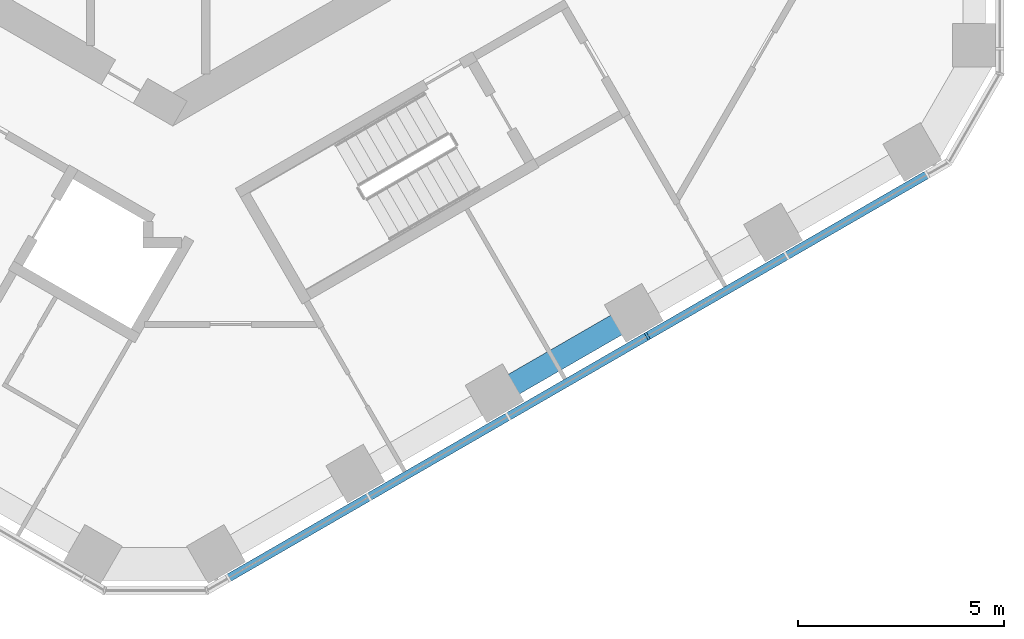
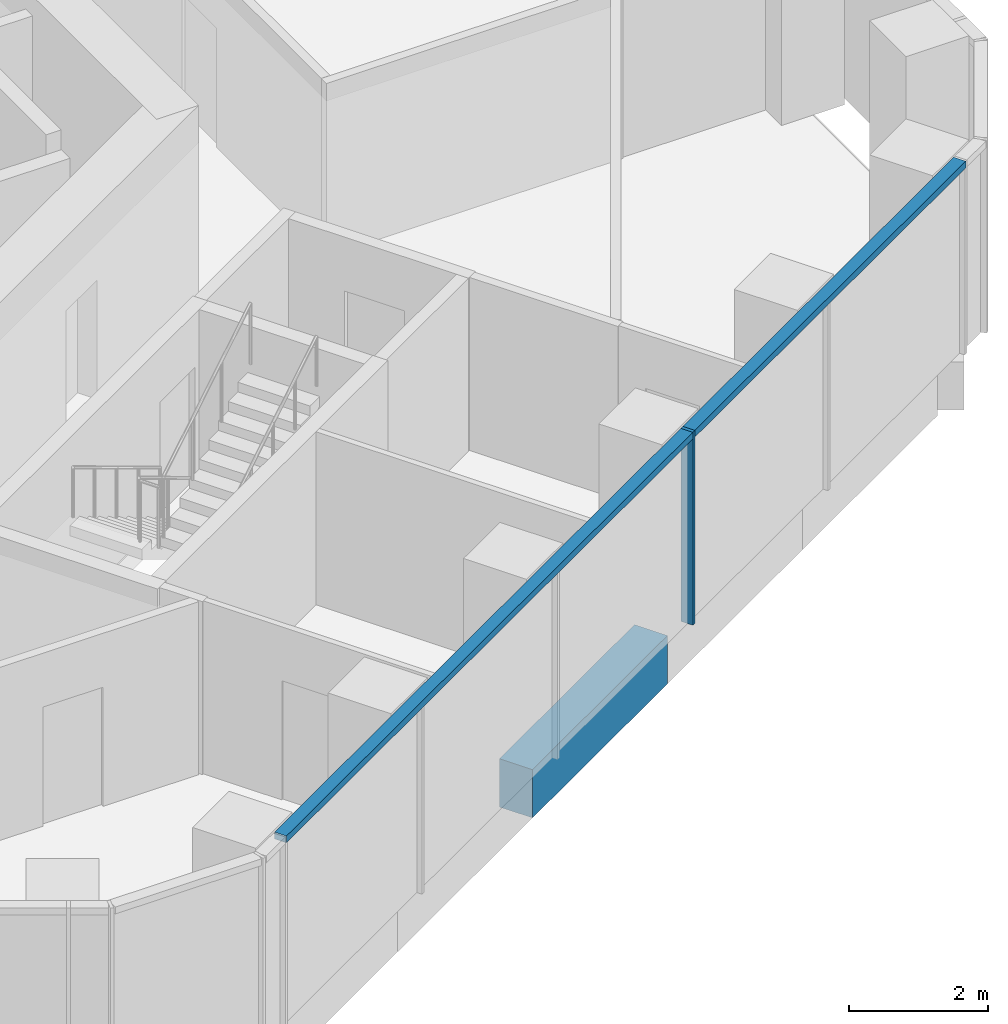
# One storey, part 3 of 19: 2 members, 1 beam, 1 element without a shape of its own.
"""IFC4 building model written with IfcOpenShell, lengths in metres."""

from ifc_helpers import new_model, si_unit, direction, frame, origin, origin_2d, place, context, subcontext, project, spatial, rectangle, extrude, material, layer, layer_set, material_profile, profile_set, type_object, element, aggregate, save


model = new_model("IFC4")

# Units and contexts
model_context = context("Model", 3, precision=1e-05, world=origin(), true_north=direction((0.0, 1.0)))
body_context = subcontext(model_context, "Body", "Model", "MODEL_VIEW")
ifc_project = project(units=[si_unit("LENGTHUNIT", "METRE"), si_unit("AREAUNIT", "SQUARE_METRE"), si_unit("VOLUMEUNIT", "CUBIC_METRE"), si_unit("PLANEANGLEUNIT", "RADIAN"), si_unit("MASSUNIT", "GRAM", prefix="KILO")], contexts=[model_context])

# Site, building, storey
site_placement = place(None, origin())
site = spatial("IfcSite", under=ifc_project, at=site_placement, CompositionType="ELEMENT")
building_placement = place(site_placement, origin())
building = spatial("IfcBuilding", under=site, at=building_placement, Name="Ayvan Gate Tower", CompositionType="ELEMENT")
storey_placement = place(building_placement, frame((0.0, 0.0, 106.89990234375)))
storey = spatial("IfcBuildingStorey", under=building, at=storey_placement, Name="L28", CompositionType="ELEMENT", Elevation=106.89990234375)

# Beam
ifc_material_1 = material(Name="Concrete C40/50", Category="concrete")
ifc_material_profile_1 = material_profile(ifc_material_1, rectangle(XDim=0.550048828125, YDim=0.85009765625, at=origin_2d()), Name="RC 550x850")
ifc_profile_set_1 = profile_set([ifc_material_profile_1], Name="Concrete C40/50")
beam_type = type_object("IfcBeamType", Name="Spandrel beam RC 550x850 C40/50", PredefinedType="BEAM", material=ifc_profile_set_1)
beam_placement = place(storey_placement, frame((7.85302734375, -17.501953125, -0.77490234375), z_axis=(0.866027128446, 0.499997012787, 0.0), x_axis=(-0.499997012787, 0.866027128446, 0.0)))
element("IfcBeam", 1, at=beam_placement, inside=storey, type_object=beam_type, Name="SB-L28-33", PredefinedType="BEAM", context=body_context, shape_type="SweptSolid", body=[
    extrude(rectangle(XDim=0.550048828125, YDim=0.85009765625, at=origin_2d()), origin(), (0.0, 0.0, 1.0), 3.89990234375),
])

# Curtain wall, members
ifc_material_2 = material(Name="Bronze anodised aluminium", Category="aluminium")
ifc_layer = layer(ifc_material_2, 0.199951171875)
ifc_layer_set = layer_set([ifc_layer], Name="Bronze anodised aluminium")
curtain_wall_type = type_object("IfcCurtainWallType", Name="Stick curtain wall CW-1", PredefinedType="NOTDEFINED", material=ifc_layer_set)
curtain_wall_placement = place(storey_placement, origin())
curtain_wall = element("IfcCurtainWall", 2, at=curtain_wall_placement, inside=storey, type_object=curtain_wall_type, Name="Stick curtain wall CW-1 L28", PredefinedType="NOTDEFINED")
ifc_material_profile_2 = material_profile(ifc_material_2, rectangle(XDim=0.199951171875, YDim=0.06005859375, at=origin_2d()), Name="Stick curtain wall CW-1 mullion 200 x 60")
ifc_profile_set_2 = profile_set([ifc_material_profile_2], Name="Bronze anodised aluminium")
member_type_1 = type_object("IfcMemberType", Name="Stick curtain wall CW-1 mullion 200 x 60", PredefinedType="MULLION", material=ifc_profile_set_2)
member_1_placement = place(storey_placement, frame((11.54052734375, -16.0791015625, 0.0), z_axis=(0.0, 0.0, 1.0), x_axis=(0.5, -0.866025403784, 0.0)))
member_1 = element("IfcMember", 3, at=member_1_placement, type_object=member_type_1, Name="CW-1 mullion 4", PredefinedType="MULLION", context=body_context, shape_type="SweptSolid", body=[
    extrude(rectangle(XDim=0.199951171875, YDim=0.06005859375, at=origin_2d()), origin(), (0.0, 0.0, 1.0), 3.400146484375),
])
ifc_material_profile_3 = material_profile(ifc_material_2, rectangle(XDim=0.199951171875, YDim=0.1201171875, at=origin_2d()), Name="Stick curtain wall CW-1 transom 200 x 120")
ifc_profile_set_3 = profile_set([ifc_material_profile_3], Name="Bronze anodised aluminium")
member_type_2 = type_object("IfcMemberType", Name="Stick curtain wall CW-1 transom 200 x 120", PredefinedType="USERDEFINED", material=ifc_profile_set_3)
member_2_placement = place(storey_placement, frame((1.351806640625, -21.96142578125, 3.340087890625), z_axis=(0.866024577697, 0.500001430823, 0.0), x_axis=(-0.500001430823, 0.866024577697, 0.0)))
member_2 = element("IfcMember", 4, at=member_2_placement, type_object=member_type_2, Name="CW-1 transom 1", ObjectType="TRANSOM", PredefinedType="USERDEFINED", context=body_context, shape_type="SweptSolid", body=[
    extrude(rectangle(XDim=0.199951171875, YDim=0.1201171875, at=origin_2d()), origin(), (0.0, 0.0, 1.0), 19.6201171875),
])
aggregate(curtain_wall, [member_1, member_2])

save(model, "model.ifc")
